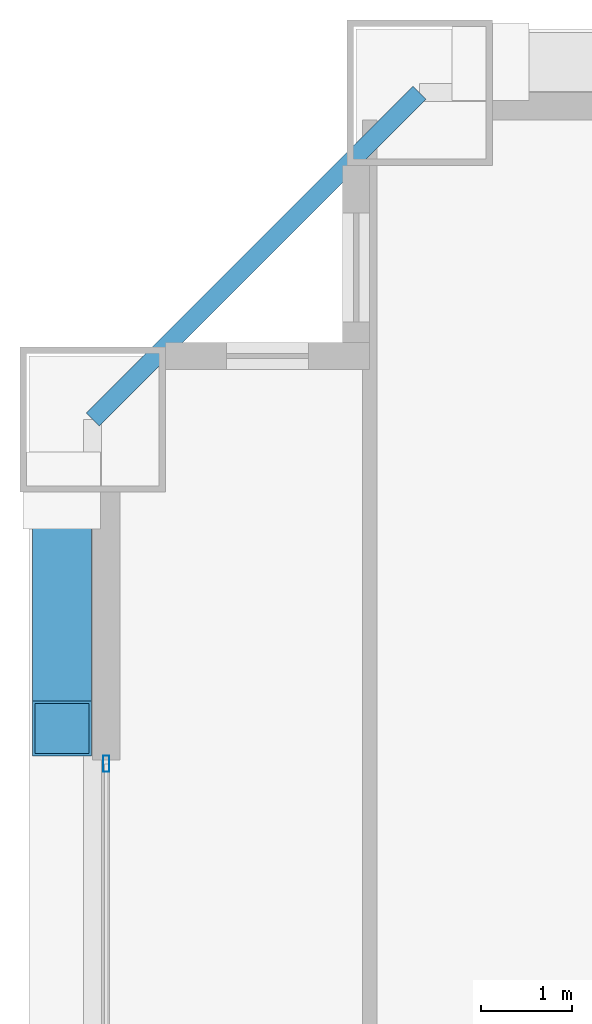
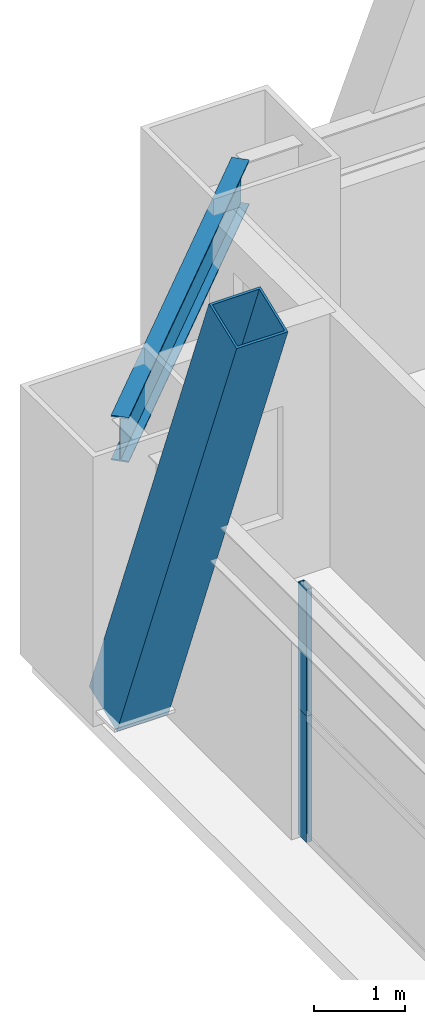
# One storey, part 25 of 43: 3 members, 1 beam, 1 element without a shape of its own.
"""IFC4 building model written with IfcOpenShell, lengths in metres."""

from ifc_helpers import new_model, si_unit, direction, frame, origin, origin_2d, place, context, subcontext, project, spatial, hollow_rectangle, i_section, extrude, source, transform, mapped, material, layer, layer_set, material_profile, profile_set, type_object, element, aggregate, save


model = new_model("IFC4")

# Units and contexts
model_context = context("Model", 3, precision=1e-05, world=origin(), true_north=direction((0.0, 1.0)))
body_context = subcontext(model_context, "Body", "Model", "MODEL_VIEW")
ifc_project = project(units=[si_unit("LENGTHUNIT", "METRE"), si_unit("AREAUNIT", "SQUARE_METRE"), si_unit("VOLUMEUNIT", "CUBIC_METRE"), si_unit("PLANEANGLEUNIT", "RADIAN"), si_unit("MASSUNIT", "GRAM", prefix="KILO"), si_unit("THERMODYNAMICTEMPERATUREUNIT", "KELVIN"), si_unit("POWERUNIT", "WATT")], contexts=[model_context])

# Site, building, storey
site_placement = place(None, origin())
site = spatial("IfcSite", under=ifc_project, at=site_placement, CompositionType="ELEMENT")
building_placement = place(site_placement, origin())
building = spatial("IfcBuilding", under=site, at=building_placement, Name="Yuzanri Waterfront Tower", CompositionType="ELEMENT")
storey_placement = place(building_placement, frame((0.0, 0.0, 93.800048828125)))
storey = spatial("IfcBuildingStorey", under=building, at=storey_placement, Name="L24", CompositionType="ELEMENT", Elevation=93.800048828125)

# Beam
ifc_material_1 = material(Name="Steel Q355B", Category="steel")
ifc_material_profile_1 = material_profile(ifc_material_1, i_section(OverallWidth=0.199951171875, OverallDepth=0.60009765625, WebThickness=0.010986328125, FlangeThickness=0.01708984375, at=origin_2d()), Name="HN 600x200x11x17")
ifc_profile_set_1 = profile_set([ifc_material_profile_1], Name="Steel Q355B")
beam_type = type_object("IfcBeamType", Name="Perimeter Spandrel Q355B HN 600x200", PredefinedType="SPANDREL", material=ifc_profile_set_1)
shared_shape_1 = source(origin(), body_context, "Body", "SweptSolid", [
    extrude(i_section(OverallWidth=0.199951171875, OverallDepth=0.60009765625, WebThickness=0.010986328125, FlangeThickness=0.01708984375, at=origin_2d()), origin(), (0.0, 0.0, 1.0), 5.091064453125),
])
beam_placement = place(storey_placement, frame((17.0, 49.39990234375, 3.079833984375), z_axis=(-0.707130757816, -0.707082803744, 0.0), x_axis=(0.707082803744, -0.707130757816, 0.0)))
element("IfcBeam", 1, at=beam_placement, inside=storey, type_object=beam_type, Name="L24 Perimeter Spandrel N1-W3", PredefinedType="SPANDREL", context=body_context, shape_type="MappedRepresentation", body=[
    mapped(shared_shape_1, transform((0.0, 0.0, 0.0), scale=1.0)),
])

# Member
ifc_material_2 = material(Name="Steel Q420GJC", Category="steel")
ifc_material_profile_2 = material_profile(ifc_material_2, hollow_rectangle(XDim=0.64990234375, YDim=0.64990234375, WallThickness=0.028076171875, at=origin_2d()), Name="RHS 650x650x28")
ifc_profile_set_2 = profile_set([ifc_material_profile_2], Name="Steel Q420GJC")
member_type_1 = type_object("IfcMemberType", Name="Mega Brace Lower Q420GJC RHS 650x650x28", PredefinedType="BRACE", material=ifc_profile_set_2)
shared_shape_2 = source(origin(), body_context, "Body", "SweptSolid", [
    extrude(hollow_rectangle(XDim=0.64990234375, YDim=0.64990234375, WallThickness=0.028076171875, at=origin_2d()), origin(), (0.0, 0.0, 1.0), 7.194091796875),
])
member_1_placement = place(storey_placement, frame((13.06005859375, 45.02001953125, 0.179931640625), z_axis=(0.0, -0.36420612543, 0.931318365651), x_axis=(1.0, 0.0, 0.0)))
element("IfcMember", 2, at=member_1_placement, inside=storey, type_object=member_type_1, Name="L24-L25 Perimeter Mega-Brace W-R", PredefinedType="BRACE", context=body_context, shape_type="MappedRepresentation", body=[
    mapped(shared_shape_2, transform((0.0, 0.0, 0.0), scale=1.0)),
])

# Curtain wall, members
ifc_material_3 = material(Name="Anodized Architectural Bronze", Category="metal")
ifc_layer = layer(ifc_material_3, 0.159912109375)
ifc_layer_set = layer_set([ifc_layer], Name="Anodized Architectural Bronze")
curtain_wall_type = type_object("IfcCurtainWallType", Name="Anodized Bronze Hotel Upper-Tier Solar-Control Unitized Curtain Wall 7800", PredefinedType="NOTDEFINED", material=ifc_layer_set)
curtain_wall_placement = place(storey_placement, origin())
curtain_wall = element("IfcCurtainWall", 3, at=curtain_wall_placement, inside=storey, type_object=curtain_wall_type, Name="L24 Curtain Wall CW-L24-WR", PredefinedType="NOTDEFINED")
ifc_material_4 = material(Name="Anodized Architectural Bronze", Category="metal")
ifc_material_profile_3 = material_profile(ifc_material_4, hollow_rectangle(XDim=0.070068359375, YDim=0.179931640625, WallThickness=0.00390625, at=origin_2d()), Name="CWM 70x180")
ifc_profile_set_3 = profile_set([ifc_material_profile_3], Name="Anodized Architectural Bronze")
member_type_2 = type_object("IfcMemberType", Name="Anodized Bronze Standard Curtain-Wall Mullion 70x180", PredefinedType="MULLION", material=ifc_profile_set_3)
shared_shape_3 = source(origin(), body_context, "Body", "SweptSolid", [
    extrude(hollow_rectangle(XDim=0.070068359375, YDim=0.179931640625, WallThickness=0.00390625, at=origin_2d()), origin(), (0.0, 0.0, 1.0), 1.68798828125),
])
member_2_placement = place(storey_placement, frame((13.550048828125, 42.010009765625, 0.0), z_axis=(0.0, 0.0, 1.0), x_axis=(1.0, 0.0, 0.0)))
member_2 = element("IfcMember", 4, at=member_2_placement, type_object=member_type_2, Name="CW-L24-WR Lower Mullion 02", PredefinedType="MULLION", context=body_context, shape_type="MappedRepresentation", body=[
    mapped(shared_shape_3, transform((0.0, 0.0, 0.0), scale=1.0)),
])
member_3_placement = place(storey_placement, frame((13.550048828125, 42.010009765625, 1.69189453125), z_axis=(0.0, 0.0, 1.0), x_axis=(1.0, 0.0, 0.0)))
member_3 = element("IfcMember", 5, at=member_3_placement, type_object=member_type_2, Name="CW-L24-WR Upper Mullion 02", PredefinedType="MULLION", context=body_context, shape_type="MappedRepresentation", body=[
    mapped(shared_shape_3, transform((0.0, 0.0, 0.0), scale=1.0)),
])
aggregate(curtain_wall, [member_2, member_3])

save(model, "model.ifc")
